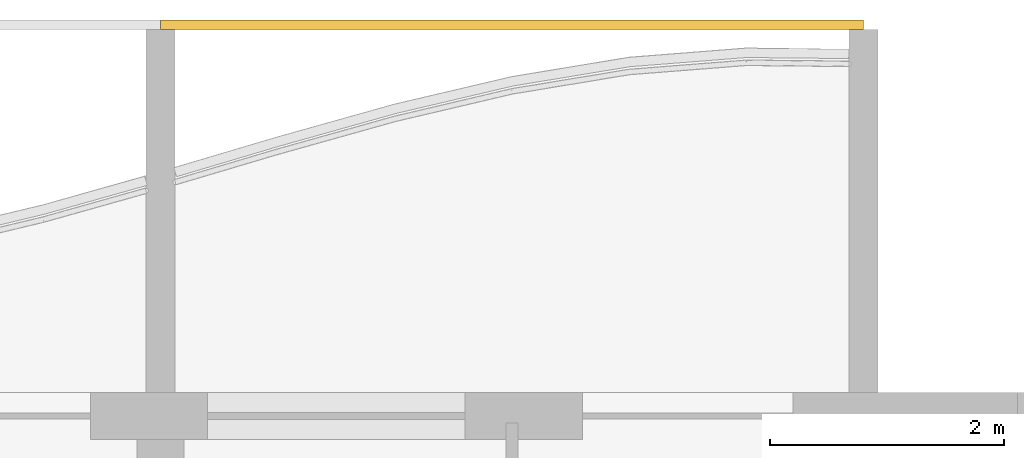
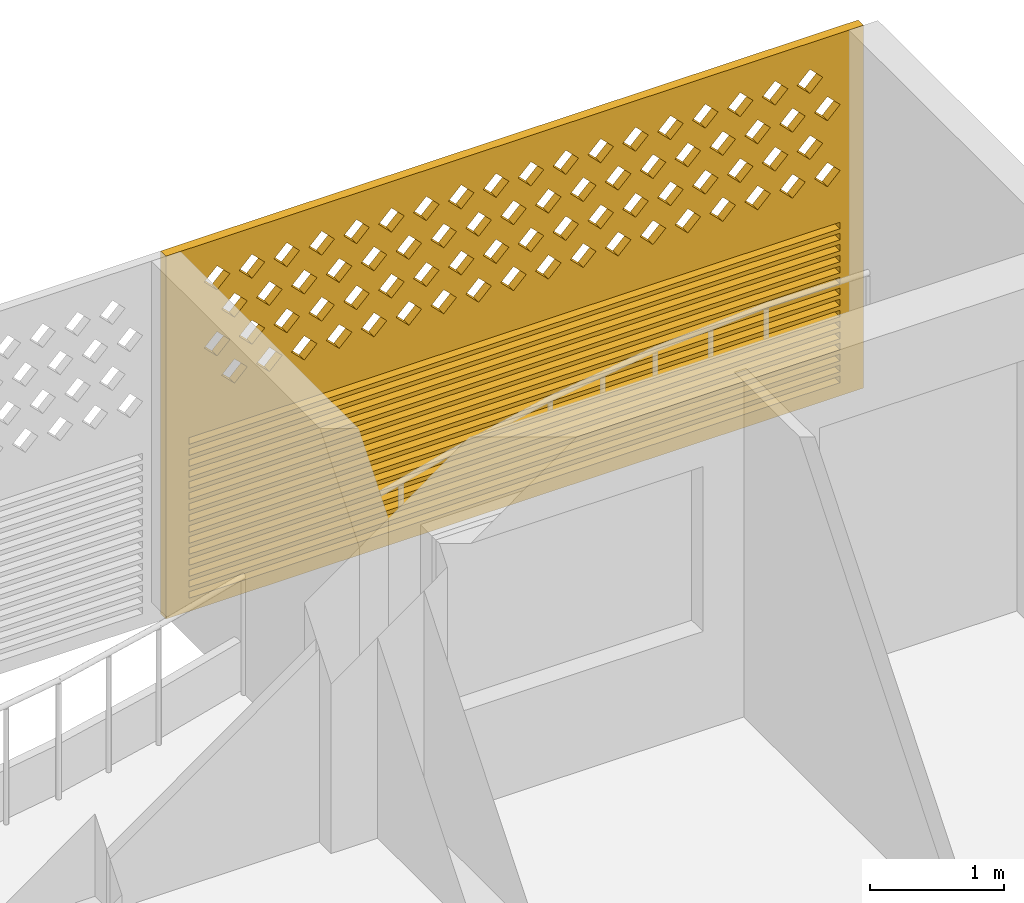
# One storey, part 38 of 38: 1 covering.
"""IFC4 building model written with IfcOpenShell, lengths in metres."""

from ifc_helpers import new_model, si_unit, direction, frame, origin, place, context, subcontext, project, spatial, polyline, outline, extrude, source, transform, mapped, material, material_profile, profile_set, type_object, element, save


model = new_model("IFC4")

# Units and contexts
model_context = context("Model", 3, precision=1e-05, world=origin(), true_north=direction((0.0, 1.0)))
body_context = subcontext(model_context, "Body", "Model", "MODEL_VIEW")
ifc_project = project(units=[si_unit("LENGTHUNIT", "METRE"), si_unit("AREAUNIT", "SQUARE_METRE"), si_unit("VOLUMEUNIT", "CUBIC_METRE"), si_unit("PLANEANGLEUNIT", "RADIAN"), si_unit("MASSUNIT", "GRAM", prefix="KILO")], contexts=[model_context])

# Site, building, storey
site_placement = place(None, origin())
site = spatial("IfcSite", under=ifc_project, at=site_placement, CompositionType="ELEMENT")
building_placement = place(site_placement, origin())
building = spatial("IfcBuilding", under=site, at=building_placement, Name="Poui Terraces", CompositionType="ELEMENT")
storey_placement = place(building_placement, frame((0.0, 0.0, 46.5)))
storey = spatial("IfcBuildingStorey", under=building, at=storey_placement, Name="L12", CompositionType="ELEMENT", Elevation=46.5)

# Covering
ifc_material = material(Name="Terracotta screen", Category="masonry")
ifc_material_profile = material_profile(ifc_material, outline(polyline([(-3.0, -1.64990234375), (3.0, -1.64990234375), (3.0, 1.64990234375), (-3.0, 1.64990234375), (-3.0, -1.64990234375)]), holes=[polyline([(-2.800048828125, 0.39990234375), (-2.68994140625, 0.2900390625), (-2.580078125, 0.39990234375), (-2.68994140625, 0.510009765625), (-2.800048828125, 0.39990234375)]), polyline([(-2.5, 0.39990234375), (-2.389892578125, 0.2900390625), (-2.280029296875, 0.39990234375), (-2.389892578125, 0.510009765625), (-2.5, 0.39990234375)]), polyline([(-2.199951171875, 0.39990234375), (-2.090087890625, 0.2900390625), (-1.97998046875, 0.39990234375), (-2.090087890625, 0.510009765625), (-2.199951171875, 0.39990234375)]), polyline([(-1.89990234375, 0.39990234375), (-1.7900390625, 0.2900390625), (-1.679931640625, 0.39990234375), (-1.7900390625, 0.510009765625), (-1.89990234375, 0.39990234375)]), polyline([(-1.60009765625, 0.39990234375), (-1.489990234375, 0.2900390625), (-1.3798828125, 0.39990234375), (-1.489990234375, 0.510009765625), (-1.60009765625, 0.39990234375)]), polyline([(-1.300048828125, 0.39990234375), (-1.18994140625, 0.2900390625), (-1.080078125, 0.39990234375), (-1.18994140625, 0.510009765625), (-1.300048828125, 0.39990234375)]), polyline([(-1.0, 0.39990234375), (-0.889892578125, 0.2900390625), (-0.780029296875, 0.39990234375), (-0.889892578125, 0.510009765625), (-1.0, 0.39990234375)]), polyline([(-0.699951171875, 0.39990234375), (-0.590087890625, 0.2900390625), (-0.47998046875, 0.39990234375), (-0.590087890625, 0.510009765625), (-0.699951171875, 0.39990234375)]), polyline([(-0.39990234375, 0.39990234375), (-0.2900390625, 0.2900390625), (-0.179931640625, 0.39990234375), (-0.2900390625, 0.510009765625), (-0.39990234375, 0.39990234375)]), polyline([(-0.10009765625, 0.39990234375), (0.010009765625, 0.2900390625), (0.1201171875, 0.39990234375), (0.010009765625, 0.510009765625), (-0.10009765625, 0.39990234375)]), polyline([(0.199951171875, 0.39990234375), (0.31005859375, 0.2900390625), (0.419921875, 0.39990234375), (0.31005859375, 0.510009765625), (0.199951171875, 0.39990234375)]), polyline([(0.5, 0.39990234375), (0.610107421875, 0.2900390625), (0.719970703125, 0.39990234375), (0.610107421875, 0.510009765625), (0.5, 0.39990234375)]), polyline([(0.800048828125, 0.39990234375), (0.909912109375, 0.2900390625), (1.02001953125, 0.39990234375), (0.909912109375, 0.510009765625), (0.800048828125, 0.39990234375)]), polyline([(1.10009765625, 0.39990234375), (1.2099609375, 0.2900390625), (1.320068359375, 0.39990234375), (1.2099609375, 0.510009765625), (1.10009765625, 0.39990234375)]), polyline([(1.39990234375, 0.39990234375), (1.510009765625, 0.2900390625), (1.6201171875, 0.39990234375), (1.510009765625, 0.510009765625), (1.39990234375, 0.39990234375)]), polyline([(1.699951171875, 0.39990234375), (1.81005859375, 0.2900390625), (1.919921875, 0.39990234375), (1.81005859375, 0.510009765625), (1.699951171875, 0.39990234375)]), polyline([(2.0, 0.39990234375), (2.110107421875, 0.2900390625), (2.219970703125, 0.39990234375), (2.110107421875, 0.510009765625), (2.0, 0.39990234375)]), polyline([(2.300048828125, 0.39990234375), (2.409912109375, 0.2900390625), (2.52001953125, 0.39990234375), (2.409912109375, 0.510009765625), (2.300048828125, 0.39990234375)]), polyline([(-2.64990234375, 0.699951171875), (-2.5400390625, 0.590087890625), (-2.429931640625, 0.699951171875), (-2.5400390625, 0.81005859375), (-2.64990234375, 0.699951171875)]), polyline([(-2.35009765625, 0.699951171875), (-2.239990234375, 0.590087890625), (-2.1298828125, 0.699951171875), (-2.239990234375, 0.81005859375), (-2.35009765625, 0.699951171875)]), polyline([(-2.050048828125, 0.699951171875), (-1.93994140625, 0.590087890625), (-1.830078125, 0.699951171875), (-1.93994140625, 0.81005859375), (-2.050048828125, 0.699951171875)]), polyline([(-1.75, 0.699951171875), (-1.639892578125, 0.590087890625), (-1.530029296875, 0.699951171875), (-1.639892578125, 0.81005859375), (-1.75, 0.699951171875)]), polyline([(-1.449951171875, 0.699951171875), (-1.340087890625, 0.590087890625), (-1.22998046875, 0.699951171875), (-1.340087890625, 0.81005859375), (-1.449951171875, 0.699951171875)]), polyline([(-1.14990234375, 0.699951171875), (-1.0400390625, 0.590087890625), (-0.929931640625, 0.699951171875), (-1.0400390625, 0.81005859375), (-1.14990234375, 0.699951171875)]), polyline([(-0.85009765625, 0.699951171875), (-0.739990234375, 0.590087890625), (-0.6298828125, 0.699951171875), (-0.739990234375, 0.81005859375), (-0.85009765625, 0.699951171875)]), polyline([(-0.550048828125, 0.699951171875), (-0.43994140625, 0.590087890625), (-0.330078125, 0.699951171875), (-0.43994140625, 0.81005859375), (-0.550048828125, 0.699951171875)]), polyline([(-0.25, 0.699951171875), (-0.139892578125, 0.590087890625), (-0.030029296875, 0.699951171875), (-0.139892578125, 0.81005859375), (-0.25, 0.699951171875)]), polyline([(0.050048828125, 0.699951171875), (0.159912109375, 0.590087890625), (0.27001953125, 0.699951171875), (0.159912109375, 0.81005859375), (0.050048828125, 0.699951171875)]), polyline([(0.35009765625, 0.699951171875), (0.4599609375, 0.590087890625), (0.570068359375, 0.699951171875), (0.4599609375, 0.81005859375), (0.35009765625, 0.699951171875)]), polyline([(0.64990234375, 0.699951171875), (0.760009765625, 0.590087890625), (0.8701171875, 0.699951171875), (0.760009765625, 0.81005859375), (0.64990234375, 0.699951171875)]), polyline([(0.949951171875, 0.699951171875), (1.06005859375, 0.590087890625), (1.169921875, 0.699951171875), (1.06005859375, 0.81005859375), (0.949951171875, 0.699951171875)]), polyline([(1.25, 0.699951171875), (1.360107421875, 0.590087890625), (1.469970703125, 0.699951171875), (1.360107421875, 0.81005859375), (1.25, 0.699951171875)]), polyline([(1.550048828125, 0.699951171875), (1.659912109375, 0.590087890625), (1.77001953125, 0.699951171875), (1.659912109375, 0.81005859375), (1.550048828125, 0.699951171875)]), polyline([(1.85009765625, 0.699951171875), (1.9599609375, 0.590087890625), (2.070068359375, 0.699951171875), (1.9599609375, 0.81005859375), (1.85009765625, 0.699951171875)]), polyline([(2.14990234375, 0.699951171875), (2.260009765625, 0.590087890625), (2.3701171875, 0.699951171875), (2.260009765625, 0.81005859375), (2.14990234375, 0.699951171875)]), polyline([(2.449951171875, 0.699951171875), (2.56005859375, 0.590087890625), (2.669921875, 0.699951171875), (2.56005859375, 0.81005859375), (2.449951171875, 0.699951171875)]), polyline([(-2.800048828125, 1.0), (-2.68994140625, 0.889892578125), (-2.580078125, 1.0), (-2.68994140625, 1.110107421875), (-2.800048828125, 1.0)]), polyline([(-2.5, 1.0), (-2.389892578125, 0.889892578125), (-2.280029296875, 1.0), (-2.389892578125, 1.110107421875), (-2.5, 1.0)]), polyline([(-2.199951171875, 1.0), (-2.090087890625, 0.889892578125), (-1.97998046875, 1.0), (-2.090087890625, 1.110107421875), (-2.199951171875, 1.0)]), polyline([(-1.89990234375, 1.0), (-1.7900390625, 0.889892578125), (-1.679931640625, 1.0), (-1.7900390625, 1.110107421875), (-1.89990234375, 1.0)]), polyline([(-1.60009765625, 1.0), (-1.489990234375, 0.889892578125), (-1.3798828125, 1.0), (-1.489990234375, 1.110107421875), (-1.60009765625, 1.0)]), polyline([(-1.300048828125, 1.0), (-1.18994140625, 0.889892578125), (-1.080078125, 1.0), (-1.18994140625, 1.110107421875), (-1.300048828125, 1.0)]), polyline([(-1.0, 1.0), (-0.889892578125, 0.889892578125), (-0.780029296875, 1.0), (-0.889892578125, 1.110107421875), (-1.0, 1.0)]), polyline([(-0.699951171875, 1.0), (-0.590087890625, 0.889892578125), (-0.47998046875, 1.0), (-0.590087890625, 1.110107421875), (-0.699951171875, 1.0)]), polyline([(-0.39990234375, 1.0), (-0.2900390625, 0.889892578125), (-0.179931640625, 1.0), (-0.2900390625, 1.110107421875), (-0.39990234375, 1.0)]), polyline([(-0.10009765625, 1.0), (0.010009765625, 0.889892578125), (0.1201171875, 1.0), (0.010009765625, 1.110107421875), (-0.10009765625, 1.0)]), polyline([(0.199951171875, 1.0), (0.31005859375, 0.889892578125), (0.419921875, 1.0), (0.31005859375, 1.110107421875), (0.199951171875, 1.0)]), polyline([(0.5, 1.0), (0.610107421875, 0.889892578125), (0.719970703125, 1.0), (0.610107421875, 1.110107421875), (0.5, 1.0)]), polyline([(0.800048828125, 1.0), (0.909912109375, 0.889892578125), (1.02001953125, 1.0), (0.909912109375, 1.110107421875), (0.800048828125, 1.0)]), polyline([(1.10009765625, 1.0), (1.2099609375, 0.889892578125), (1.320068359375, 1.0), (1.2099609375, 1.110107421875), (1.10009765625, 1.0)]), polyline([(1.39990234375, 1.0), (1.510009765625, 0.889892578125), (1.6201171875, 1.0), (1.510009765625, 1.110107421875), (1.39990234375, 1.0)]), polyline([(1.699951171875, 1.0), (1.81005859375, 0.889892578125), (1.919921875, 1.0), (1.81005859375, 1.110107421875), (1.699951171875, 1.0)]), polyline([(2.0, 1.0), (2.110107421875, 0.889892578125), (2.219970703125, 1.0), (2.110107421875, 1.110107421875), (2.0, 1.0)]), polyline([(2.300048828125, 1.0), (2.409912109375, 0.889892578125), (2.52001953125, 1.0), (2.409912109375, 1.110107421875), (2.300048828125, 1.0)]), polyline([(-2.64990234375, 1.300048828125), (-2.5400390625, 1.18994140625), (-2.429931640625, 1.300048828125), (-2.5400390625, 1.409912109375), (-2.64990234375, 1.300048828125)]), polyline([(-2.35009765625, 1.300048828125), (-2.239990234375, 1.18994140625), (-2.1298828125, 1.300048828125), (-2.239990234375, 1.409912109375), (-2.35009765625, 1.300048828125)]), polyline([(-2.050048828125, 1.300048828125), (-1.93994140625, 1.18994140625), (-1.830078125, 1.300048828125), (-1.93994140625, 1.409912109375), (-2.050048828125, 1.300048828125)]), polyline([(-1.75, 1.300048828125), (-1.639892578125, 1.18994140625), (-1.530029296875, 1.300048828125), (-1.639892578125, 1.409912109375), (-1.75, 1.300048828125)]), polyline([(-1.449951171875, 1.300048828125), (-1.340087890625, 1.18994140625), (-1.22998046875, 1.300048828125), (-1.340087890625, 1.409912109375), (-1.449951171875, 1.300048828125)]), polyline([(-1.14990234375, 1.300048828125), (-1.0400390625, 1.18994140625), (-0.929931640625, 1.300048828125), (-1.0400390625, 1.409912109375), (-1.14990234375, 1.300048828125)]), polyline([(-0.85009765625, 1.300048828125), (-0.739990234375, 1.18994140625), (-0.6298828125, 1.300048828125), (-0.739990234375, 1.409912109375), (-0.85009765625, 1.300048828125)]), polyline([(-0.550048828125, 1.300048828125), (-0.43994140625, 1.18994140625), (-0.330078125, 1.300048828125), (-0.43994140625, 1.409912109375), (-0.550048828125, 1.300048828125)]), polyline([(-0.25, 1.300048828125), (-0.139892578125, 1.18994140625), (-0.030029296875, 1.300048828125), (-0.139892578125, 1.409912109375), (-0.25, 1.300048828125)]), polyline([(0.050048828125, 1.300048828125), (0.159912109375, 1.18994140625), (0.27001953125, 1.300048828125), (0.159912109375, 1.409912109375), (0.050048828125, 1.300048828125)]), polyline([(0.35009765625, 1.300048828125), (0.4599609375, 1.18994140625), (0.570068359375, 1.300048828125), (0.4599609375, 1.409912109375), (0.35009765625, 1.300048828125)]), polyline([(0.64990234375, 1.300048828125), (0.760009765625, 1.18994140625), (0.8701171875, 1.300048828125), (0.760009765625, 1.409912109375), (0.64990234375, 1.300048828125)]), polyline([(0.949951171875, 1.300048828125), (1.06005859375, 1.18994140625), (1.169921875, 1.300048828125), (1.06005859375, 1.409912109375), (0.949951171875, 1.300048828125)]), polyline([(1.25, 1.300048828125), (1.360107421875, 1.18994140625), (1.469970703125, 1.300048828125), (1.360107421875, 1.409912109375), (1.25, 1.300048828125)]), polyline([(1.550048828125, 1.300048828125), (1.659912109375, 1.18994140625), (1.77001953125, 1.300048828125), (1.659912109375, 1.409912109375), (1.550048828125, 1.300048828125)]), polyline([(1.85009765625, 1.300048828125), (1.9599609375, 1.18994140625), (2.070068359375, 1.300048828125), (1.9599609375, 1.409912109375), (1.85009765625, 1.300048828125)]), polyline([(2.14990234375, 1.300048828125), (2.260009765625, 1.18994140625), (2.3701171875, 1.300048828125), (2.260009765625, 1.409912109375), (2.14990234375, 1.300048828125)]), polyline([(2.449951171875, 1.300048828125), (2.56005859375, 1.18994140625), (2.669921875, 1.300048828125), (2.56005859375, 1.409912109375), (2.449951171875, 1.300048828125)]), polyline([(-2.800048828125, -1.530029296875), (2.800048828125, -1.530029296875), (2.800048828125, -1.469970703125), (-2.800048828125, -1.469970703125), (-2.800048828125, -1.530029296875)]), polyline([(-2.800048828125, -1.429931640625), (2.800048828125, -1.429931640625), (2.800048828125, -1.3701171875), (-2.800048828125, -1.3701171875), (-2.800048828125, -1.429931640625)]), polyline([(-2.800048828125, -1.330078125), (2.800048828125, -1.330078125), (2.800048828125, -1.27001953125), (-2.800048828125, -1.27001953125), (-2.800048828125, -1.330078125)]), polyline([(-2.800048828125, -1.22998046875), (2.800048828125, -1.22998046875), (2.800048828125, -1.169921875), (-2.800048828125, -1.169921875), (-2.800048828125, -1.22998046875)]), polyline([(-2.800048828125, -1.1298828125), (2.800048828125, -1.1298828125), (2.800048828125, -1.070068359375), (-2.800048828125, -1.070068359375), (-2.800048828125, -1.1298828125)]), polyline([(-2.800048828125, -1.030029296875), (2.800048828125, -1.030029296875), (2.800048828125, -0.969970703125), (-2.800048828125, -0.969970703125), (-2.800048828125, -1.030029296875)]), polyline([(-2.800048828125, -0.929931640625), (2.800048828125, -0.929931640625), (2.800048828125, -0.8701171875), (-2.800048828125, -0.8701171875), (-2.800048828125, -0.929931640625)]), polyline([(-2.800048828125, -0.830078125), (2.800048828125, -0.830078125), (2.800048828125, -0.77001953125), (-2.800048828125, -0.77001953125), (-2.800048828125, -0.830078125)]), polyline([(-2.800048828125, -0.72998046875), (2.800048828125, -0.72998046875), (2.800048828125, -0.669921875), (-2.800048828125, -0.669921875), (-2.800048828125, -0.72998046875)]), polyline([(-2.800048828125, -0.6298828125), (2.800048828125, -0.6298828125), (2.800048828125, -0.570068359375), (-2.800048828125, -0.570068359375), (-2.800048828125, -0.6298828125)]), polyline([(-2.800048828125, -0.530029296875), (2.800048828125, -0.530029296875), (2.800048828125, -0.469970703125), (-2.800048828125, -0.469970703125), (-2.800048828125, -0.530029296875)]), polyline([(-2.800048828125, -0.429931640625), (2.800048828125, -0.429931640625), (2.800048828125, -0.3701171875), (-2.800048828125, -0.3701171875), (-2.800048828125, -0.429931640625)]), polyline([(-2.800048828125, -0.330078125), (2.800048828125, -0.330078125), (2.800048828125, -0.27001953125), (-2.800048828125, -0.27001953125), (-2.800048828125, -0.330078125)]), polyline([(-2.800048828125, -0.22998046875), (2.800048828125, -0.22998046875), (2.800048828125, -0.169921875), (-2.800048828125, -0.169921875), (-2.800048828125, -0.22998046875)]), polyline([(-2.800048828125, -0.1298828125), (2.800048828125, -0.1298828125), (2.800048828125, -0.070068359375), (-2.800048828125, -0.070068359375), (-2.800048828125, -0.1298828125)])]), Name="TERRACOTTA SCREEN AND JALOUSIE LOUVRE 6000X3300")
ifc_profile_set = profile_set([ifc_material_profile], Name="Terracotta screen")
covering_type = type_object("IfcCoveringType", Name="TERRACOTTA SCREEN AND JALOUSIE LOUVRE 6000X3300", PredefinedType="CLADDING", material=ifc_profile_set)
shared_shape = source(origin(), body_context, "Body", "SweptSolid", [
    extrude(outline(polyline([(-3.0, -1.64990234375), (3.0, -1.64990234375), (3.0, 1.64990234375), (-3.0, 1.64990234375), (-3.0, -1.64990234375)]), holes=[polyline([(-2.800048828125, 0.39990234375), (-2.68994140625, 0.2900390625), (-2.580078125, 0.39990234375), (-2.68994140625, 0.510009765625), (-2.800048828125, 0.39990234375)]), polyline([(-2.5, 0.39990234375), (-2.389892578125, 0.2900390625), (-2.280029296875, 0.39990234375), (-2.389892578125, 0.510009765625), (-2.5, 0.39990234375)]), polyline([(-2.199951171875, 0.39990234375), (-2.090087890625, 0.2900390625), (-1.97998046875, 0.39990234375), (-2.090087890625, 0.510009765625), (-2.199951171875, 0.39990234375)]), polyline([(-1.89990234375, 0.39990234375), (-1.7900390625, 0.2900390625), (-1.679931640625, 0.39990234375), (-1.7900390625, 0.510009765625), (-1.89990234375, 0.39990234375)]), polyline([(-1.60009765625, 0.39990234375), (-1.489990234375, 0.2900390625), (-1.3798828125, 0.39990234375), (-1.489990234375, 0.510009765625), (-1.60009765625, 0.39990234375)]), polyline([(-1.300048828125, 0.39990234375), (-1.18994140625, 0.2900390625), (-1.080078125, 0.39990234375), (-1.18994140625, 0.510009765625), (-1.300048828125, 0.39990234375)]), polyline([(-1.0, 0.39990234375), (-0.889892578125, 0.2900390625), (-0.780029296875, 0.39990234375), (-0.889892578125, 0.510009765625), (-1.0, 0.39990234375)]), polyline([(-0.699951171875, 0.39990234375), (-0.590087890625, 0.2900390625), (-0.47998046875, 0.39990234375), (-0.590087890625, 0.510009765625), (-0.699951171875, 0.39990234375)]), polyline([(-0.39990234375, 0.39990234375), (-0.2900390625, 0.2900390625), (-0.179931640625, 0.39990234375), (-0.2900390625, 0.510009765625), (-0.39990234375, 0.39990234375)]), polyline([(-0.10009765625, 0.39990234375), (0.010009765625, 0.2900390625), (0.1201171875, 0.39990234375), (0.010009765625, 0.510009765625), (-0.10009765625, 0.39990234375)]), polyline([(0.199951171875, 0.39990234375), (0.31005859375, 0.2900390625), (0.419921875, 0.39990234375), (0.31005859375, 0.510009765625), (0.199951171875, 0.39990234375)]), polyline([(0.5, 0.39990234375), (0.610107421875, 0.2900390625), (0.719970703125, 0.39990234375), (0.610107421875, 0.510009765625), (0.5, 0.39990234375)]), polyline([(0.800048828125, 0.39990234375), (0.909912109375, 0.2900390625), (1.02001953125, 0.39990234375), (0.909912109375, 0.510009765625), (0.800048828125, 0.39990234375)]), polyline([(1.10009765625, 0.39990234375), (1.2099609375, 0.2900390625), (1.320068359375, 0.39990234375), (1.2099609375, 0.510009765625), (1.10009765625, 0.39990234375)]), polyline([(1.39990234375, 0.39990234375), (1.510009765625, 0.2900390625), (1.6201171875, 0.39990234375), (1.510009765625, 0.510009765625), (1.39990234375, 0.39990234375)]), polyline([(1.699951171875, 0.39990234375), (1.81005859375, 0.2900390625), (1.919921875, 0.39990234375), (1.81005859375, 0.510009765625), (1.699951171875, 0.39990234375)]), polyline([(2.0, 0.39990234375), (2.110107421875, 0.2900390625), (2.219970703125, 0.39990234375), (2.110107421875, 0.510009765625), (2.0, 0.39990234375)]), polyline([(2.300048828125, 0.39990234375), (2.409912109375, 0.2900390625), (2.52001953125, 0.39990234375), (2.409912109375, 0.510009765625), (2.300048828125, 0.39990234375)]), polyline([(-2.64990234375, 0.699951171875), (-2.5400390625, 0.590087890625), (-2.429931640625, 0.699951171875), (-2.5400390625, 0.81005859375), (-2.64990234375, 0.699951171875)]), polyline([(-2.35009765625, 0.699951171875), (-2.239990234375, 0.590087890625), (-2.1298828125, 0.699951171875), (-2.239990234375, 0.81005859375), (-2.35009765625, 0.699951171875)]), polyline([(-2.050048828125, 0.699951171875), (-1.93994140625, 0.590087890625), (-1.830078125, 0.699951171875), (-1.93994140625, 0.81005859375), (-2.050048828125, 0.699951171875)]), polyline([(-1.75, 0.699951171875), (-1.639892578125, 0.590087890625), (-1.530029296875, 0.699951171875), (-1.639892578125, 0.81005859375), (-1.75, 0.699951171875)]), polyline([(-1.449951171875, 0.699951171875), (-1.340087890625, 0.590087890625), (-1.22998046875, 0.699951171875), (-1.340087890625, 0.81005859375), (-1.449951171875, 0.699951171875)]), polyline([(-1.14990234375, 0.699951171875), (-1.0400390625, 0.590087890625), (-0.929931640625, 0.699951171875), (-1.0400390625, 0.81005859375), (-1.14990234375, 0.699951171875)]), polyline([(-0.85009765625, 0.699951171875), (-0.739990234375, 0.590087890625), (-0.6298828125, 0.699951171875), (-0.739990234375, 0.81005859375), (-0.85009765625, 0.699951171875)]), polyline([(-0.550048828125, 0.699951171875), (-0.43994140625, 0.590087890625), (-0.330078125, 0.699951171875), (-0.43994140625, 0.81005859375), (-0.550048828125, 0.699951171875)]), polyline([(-0.25, 0.699951171875), (-0.139892578125, 0.590087890625), (-0.030029296875, 0.699951171875), (-0.139892578125, 0.81005859375), (-0.25, 0.699951171875)]), polyline([(0.050048828125, 0.699951171875), (0.159912109375, 0.590087890625), (0.27001953125, 0.699951171875), (0.159912109375, 0.81005859375), (0.050048828125, 0.699951171875)]), polyline([(0.35009765625, 0.699951171875), (0.4599609375, 0.590087890625), (0.570068359375, 0.699951171875), (0.4599609375, 0.81005859375), (0.35009765625, 0.699951171875)]), polyline([(0.64990234375, 0.699951171875), (0.760009765625, 0.590087890625), (0.8701171875, 0.699951171875), (0.760009765625, 0.81005859375), (0.64990234375, 0.699951171875)]), polyline([(0.949951171875, 0.699951171875), (1.06005859375, 0.590087890625), (1.169921875, 0.699951171875), (1.06005859375, 0.81005859375), (0.949951171875, 0.699951171875)]), polyline([(1.25, 0.699951171875), (1.360107421875, 0.590087890625), (1.469970703125, 0.699951171875), (1.360107421875, 0.81005859375), (1.25, 0.699951171875)]), polyline([(1.550048828125, 0.699951171875), (1.659912109375, 0.590087890625), (1.77001953125, 0.699951171875), (1.659912109375, 0.81005859375), (1.550048828125, 0.699951171875)]), polyline([(1.85009765625, 0.699951171875), (1.9599609375, 0.590087890625), (2.070068359375, 0.699951171875), (1.9599609375, 0.81005859375), (1.85009765625, 0.699951171875)]), polyline([(2.14990234375, 0.699951171875), (2.260009765625, 0.590087890625), (2.3701171875, 0.699951171875), (2.260009765625, 0.81005859375), (2.14990234375, 0.699951171875)]), polyline([(2.449951171875, 0.699951171875), (2.56005859375, 0.590087890625), (2.669921875, 0.699951171875), (2.56005859375, 0.81005859375), (2.449951171875, 0.699951171875)]), polyline([(-2.800048828125, 1.0), (-2.68994140625, 0.889892578125), (-2.580078125, 1.0), (-2.68994140625, 1.110107421875), (-2.800048828125, 1.0)]), polyline([(-2.5, 1.0), (-2.389892578125, 0.889892578125), (-2.280029296875, 1.0), (-2.389892578125, 1.110107421875), (-2.5, 1.0)]), polyline([(-2.199951171875, 1.0), (-2.090087890625, 0.889892578125), (-1.97998046875, 1.0), (-2.090087890625, 1.110107421875), (-2.199951171875, 1.0)]), polyline([(-1.89990234375, 1.0), (-1.7900390625, 0.889892578125), (-1.679931640625, 1.0), (-1.7900390625, 1.110107421875), (-1.89990234375, 1.0)]), polyline([(-1.60009765625, 1.0), (-1.489990234375, 0.889892578125), (-1.3798828125, 1.0), (-1.489990234375, 1.110107421875), (-1.60009765625, 1.0)]), polyline([(-1.300048828125, 1.0), (-1.18994140625, 0.889892578125), (-1.080078125, 1.0), (-1.18994140625, 1.110107421875), (-1.300048828125, 1.0)]), polyline([(-1.0, 1.0), (-0.889892578125, 0.889892578125), (-0.780029296875, 1.0), (-0.889892578125, 1.110107421875), (-1.0, 1.0)]), polyline([(-0.699951171875, 1.0), (-0.590087890625, 0.889892578125), (-0.47998046875, 1.0), (-0.590087890625, 1.110107421875), (-0.699951171875, 1.0)]), polyline([(-0.39990234375, 1.0), (-0.2900390625, 0.889892578125), (-0.179931640625, 1.0), (-0.2900390625, 1.110107421875), (-0.39990234375, 1.0)]), polyline([(-0.10009765625, 1.0), (0.010009765625, 0.889892578125), (0.1201171875, 1.0), (0.010009765625, 1.110107421875), (-0.10009765625, 1.0)]), polyline([(0.199951171875, 1.0), (0.31005859375, 0.889892578125), (0.419921875, 1.0), (0.31005859375, 1.110107421875), (0.199951171875, 1.0)]), polyline([(0.5, 1.0), (0.610107421875, 0.889892578125), (0.719970703125, 1.0), (0.610107421875, 1.110107421875), (0.5, 1.0)]), polyline([(0.800048828125, 1.0), (0.909912109375, 0.889892578125), (1.02001953125, 1.0), (0.909912109375, 1.110107421875), (0.800048828125, 1.0)]), polyline([(1.10009765625, 1.0), (1.2099609375, 0.889892578125), (1.320068359375, 1.0), (1.2099609375, 1.110107421875), (1.10009765625, 1.0)]), polyline([(1.39990234375, 1.0), (1.510009765625, 0.889892578125), (1.6201171875, 1.0), (1.510009765625, 1.110107421875), (1.39990234375, 1.0)]), polyline([(1.699951171875, 1.0), (1.81005859375, 0.889892578125), (1.919921875, 1.0), (1.81005859375, 1.110107421875), (1.699951171875, 1.0)]), polyline([(2.0, 1.0), (2.110107421875, 0.889892578125), (2.219970703125, 1.0), (2.110107421875, 1.110107421875), (2.0, 1.0)]), polyline([(2.300048828125, 1.0), (2.409912109375, 0.889892578125), (2.52001953125, 1.0), (2.409912109375, 1.110107421875), (2.300048828125, 1.0)]), polyline([(-2.64990234375, 1.300048828125), (-2.5400390625, 1.18994140625), (-2.429931640625, 1.300048828125), (-2.5400390625, 1.409912109375), (-2.64990234375, 1.300048828125)]), polyline([(-2.35009765625, 1.300048828125), (-2.239990234375, 1.18994140625), (-2.1298828125, 1.300048828125), (-2.239990234375, 1.409912109375), (-2.35009765625, 1.300048828125)]), polyline([(-2.050048828125, 1.300048828125), (-1.93994140625, 1.18994140625), (-1.830078125, 1.300048828125), (-1.93994140625, 1.409912109375), (-2.050048828125, 1.300048828125)]), polyline([(-1.75, 1.300048828125), (-1.639892578125, 1.18994140625), (-1.530029296875, 1.300048828125), (-1.639892578125, 1.409912109375), (-1.75, 1.300048828125)]), polyline([(-1.449951171875, 1.300048828125), (-1.340087890625, 1.18994140625), (-1.22998046875, 1.300048828125), (-1.340087890625, 1.409912109375), (-1.449951171875, 1.300048828125)]), polyline([(-1.14990234375, 1.300048828125), (-1.0400390625, 1.18994140625), (-0.929931640625, 1.300048828125), (-1.0400390625, 1.409912109375), (-1.14990234375, 1.300048828125)]), polyline([(-0.85009765625, 1.300048828125), (-0.739990234375, 1.18994140625), (-0.6298828125, 1.300048828125), (-0.739990234375, 1.409912109375), (-0.85009765625, 1.300048828125)]), polyline([(-0.550048828125, 1.300048828125), (-0.43994140625, 1.18994140625), (-0.330078125, 1.300048828125), (-0.43994140625, 1.409912109375), (-0.550048828125, 1.300048828125)]), polyline([(-0.25, 1.300048828125), (-0.139892578125, 1.18994140625), (-0.030029296875, 1.300048828125), (-0.139892578125, 1.409912109375), (-0.25, 1.300048828125)]), polyline([(0.050048828125, 1.300048828125), (0.159912109375, 1.18994140625), (0.27001953125, 1.300048828125), (0.159912109375, 1.409912109375), (0.050048828125, 1.300048828125)]), polyline([(0.35009765625, 1.300048828125), (0.4599609375, 1.18994140625), (0.570068359375, 1.300048828125), (0.4599609375, 1.409912109375), (0.35009765625, 1.300048828125)]), polyline([(0.64990234375, 1.300048828125), (0.760009765625, 1.18994140625), (0.8701171875, 1.300048828125), (0.760009765625, 1.409912109375), (0.64990234375, 1.300048828125)]), polyline([(0.949951171875, 1.300048828125), (1.06005859375, 1.18994140625), (1.169921875, 1.300048828125), (1.06005859375, 1.409912109375), (0.949951171875, 1.300048828125)]), polyline([(1.25, 1.300048828125), (1.360107421875, 1.18994140625), (1.469970703125, 1.300048828125), (1.360107421875, 1.409912109375), (1.25, 1.300048828125)]), polyline([(1.550048828125, 1.300048828125), (1.659912109375, 1.18994140625), (1.77001953125, 1.300048828125), (1.659912109375, 1.409912109375), (1.550048828125, 1.300048828125)]), polyline([(1.85009765625, 1.300048828125), (1.9599609375, 1.18994140625), (2.070068359375, 1.300048828125), (1.9599609375, 1.409912109375), (1.85009765625, 1.300048828125)]), polyline([(2.14990234375, 1.300048828125), (2.260009765625, 1.18994140625), (2.3701171875, 1.300048828125), (2.260009765625, 1.409912109375), (2.14990234375, 1.300048828125)]), polyline([(2.449951171875, 1.300048828125), (2.56005859375, 1.18994140625), (2.669921875, 1.300048828125), (2.56005859375, 1.409912109375), (2.449951171875, 1.300048828125)]), polyline([(-2.800048828125, -1.530029296875), (2.800048828125, -1.530029296875), (2.800048828125, -1.469970703125), (-2.800048828125, -1.469970703125), (-2.800048828125, -1.530029296875)]), polyline([(-2.800048828125, -1.429931640625), (2.800048828125, -1.429931640625), (2.800048828125, -1.3701171875), (-2.800048828125, -1.3701171875), (-2.800048828125, -1.429931640625)]), polyline([(-2.800048828125, -1.330078125), (2.800048828125, -1.330078125), (2.800048828125, -1.27001953125), (-2.800048828125, -1.27001953125), (-2.800048828125, -1.330078125)]), polyline([(-2.800048828125, -1.22998046875), (2.800048828125, -1.22998046875), (2.800048828125, -1.169921875), (-2.800048828125, -1.169921875), (-2.800048828125, -1.22998046875)]), polyline([(-2.800048828125, -1.1298828125), (2.800048828125, -1.1298828125), (2.800048828125, -1.070068359375), (-2.800048828125, -1.070068359375), (-2.800048828125, -1.1298828125)]), polyline([(-2.800048828125, -1.030029296875), (2.800048828125, -1.030029296875), (2.800048828125, -0.969970703125), (-2.800048828125, -0.969970703125), (-2.800048828125, -1.030029296875)]), polyline([(-2.800048828125, -0.929931640625), (2.800048828125, -0.929931640625), (2.800048828125, -0.8701171875), (-2.800048828125, -0.8701171875), (-2.800048828125, -0.929931640625)]), polyline([(-2.800048828125, -0.830078125), (2.800048828125, -0.830078125), (2.800048828125, -0.77001953125), (-2.800048828125, -0.77001953125), (-2.800048828125, -0.830078125)]), polyline([(-2.800048828125, -0.72998046875), (2.800048828125, -0.72998046875), (2.800048828125, -0.669921875), (-2.800048828125, -0.669921875), (-2.800048828125, -0.72998046875)]), polyline([(-2.800048828125, -0.6298828125), (2.800048828125, -0.6298828125), (2.800048828125, -0.570068359375), (-2.800048828125, -0.570068359375), (-2.800048828125, -0.6298828125)]), polyline([(-2.800048828125, -0.530029296875), (2.800048828125, -0.530029296875), (2.800048828125, -0.469970703125), (-2.800048828125, -0.469970703125), (-2.800048828125, -0.530029296875)]), polyline([(-2.800048828125, -0.429931640625), (2.800048828125, -0.429931640625), (2.800048828125, -0.3701171875), (-2.800048828125, -0.3701171875), (-2.800048828125, -0.429931640625)]), polyline([(-2.800048828125, -0.330078125), (2.800048828125, -0.330078125), (2.800048828125, -0.27001953125), (-2.800048828125, -0.27001953125), (-2.800048828125, -0.330078125)]), polyline([(-2.800048828125, -0.22998046875), (2.800048828125, -0.22998046875), (2.800048828125, -0.169921875), (-2.800048828125, -0.169921875), (-2.800048828125, -0.22998046875)]), polyline([(-2.800048828125, -0.1298828125), (2.800048828125, -0.1298828125), (2.800048828125, -0.070068359375), (-2.800048828125, -0.070068359375), (-2.800048828125, -0.1298828125)])]), origin(), (0.0, 0.0, 1.0), 0.079833984375),
])
covering_placement = place(storey_placement, frame((93.0, 48.10009765625, 1.449951171875), z_axis=(0.0, 1.0, 0.0), x_axis=(-1.0, 0.0, 0.0)))
element("IfcCovering", 1, at=covering_placement, inside=storey, type_object=covering_type, Name="SOLAR SCREEN AND JALOUSIE LOUVRE", PredefinedType="CLADDING", context=body_context, shape_type="MappedRepresentation", body=[
    mapped(shared_shape, transform((0.0, 0.0, 0.0))),
])

save(model, "model.ifc")
